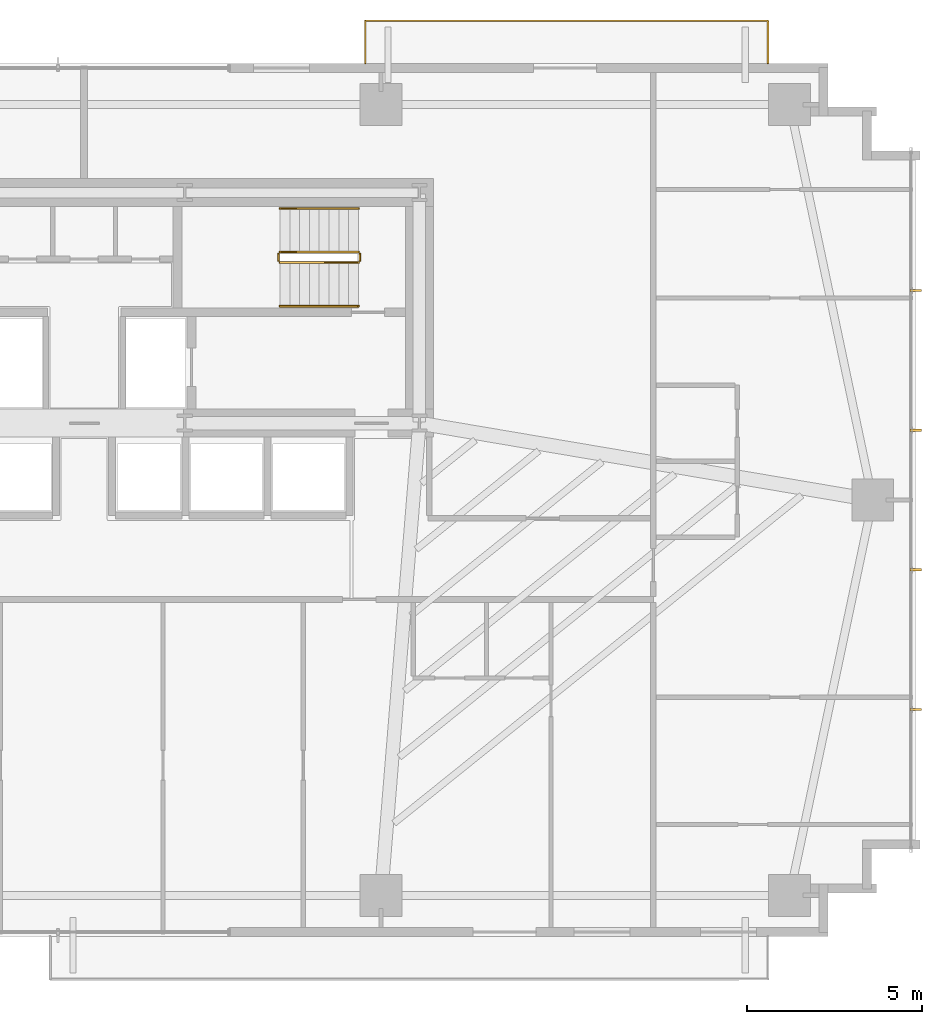
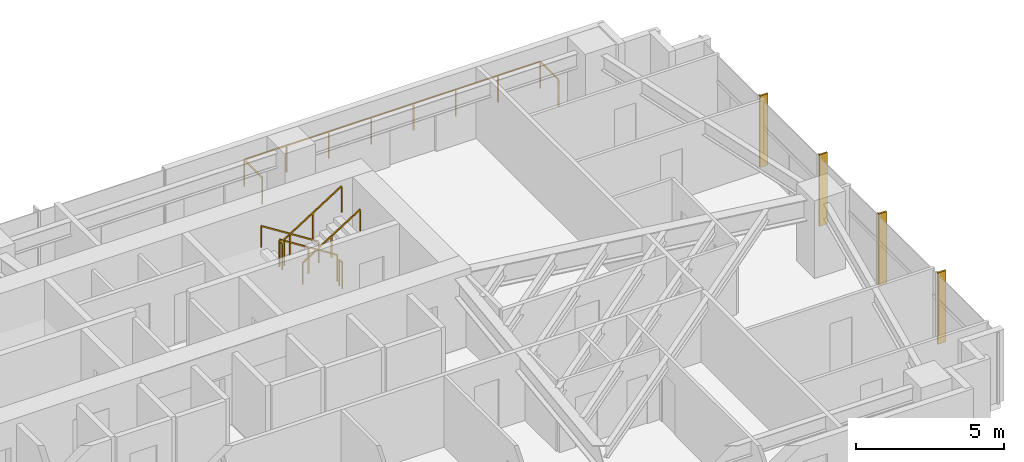
# One storey, part 25 of 25: 7 railings, 4 shading devices.
"""IFC4 building model written with IfcOpenShell, lengths in metres."""

from ifc_helpers import new_model, si_unit, direction, frame, origin, origin_2d, place, context, subcontext, project, spatial, rectangle, extrude, source, transform, mapped, material, type_object, type_shapes, element, save


model = new_model("IFC4")

# Units and contexts
model_context = context("Model", 3, precision=1e-05, world=origin(), true_north=direction((0.0, 1.0)))
body_context = subcontext(model_context, "Body", "Model", "MODEL_VIEW")
ifc_project = project(units=[si_unit("LENGTHUNIT", "METRE"), si_unit("AREAUNIT", "SQUARE_METRE"), si_unit("VOLUMEUNIT", "CUBIC_METRE"), si_unit("PLANEANGLEUNIT", "RADIAN"), si_unit("MASSUNIT", "GRAM", prefix="KILO")], contexts=[model_context])

# Site, building, storey
site_placement = place(None, origin())
site = spatial("IfcSite", under=ifc_project, at=site_placement, CompositionType="ELEMENT")
building_placement = place(site_placement, origin())
building = spatial("IfcBuilding", under=site, at=building_placement, Name="Astriad Promenade Condominiums", CompositionType="ELEMENT")
storey_placement = place(building_placement, frame((0.0, 0.0, 29.39990234375)))
storey = spatial("IfcBuildingStorey", under=building, at=storey_placement, Name="L07", CompositionType="ELEMENT", Elevation=29.39990234375)

# Shading devices
ifc_material_1 = material(Name="Anodised aluminium 6063-T6 Black Fin", Category="aluminium")
shading_device_type = type_object("IfcShadingDeviceType", Name="FIN-BLACK-320", PredefinedType="USERDEFINED", material=ifc_material_1)
shared_shape_1 = source(origin(), body_context, "Body", "SweptSolid", [
    extrude(rectangle(XDim=0.06494140625, YDim=0.320068359375, at=origin_2d()), origin(), (0.0, 0.0, 1.0), 2.93994140625),
])
type_shapes(shading_device_type, [shared_shape_1])
for number, where, z_axis, x_axis, name in (
    (1, (59.81005859375, 21.199951171875, 0.000244140625), (0.0, 0.0, 1.0), (0.0, -1.0, 0.0), "CW-L07-E-FIN-01"),
    (2, (59.81005859375, 17.199951171875, 0.000244140625), (0.0, 0.0, 1.0), (0.0, -1.0, 0.0), "CW-L07-E-FIN-02"),
    (3, (59.81005859375, 13.199951171875, 0.000244140625), (0.0, 0.0, 1.0), (0.0, -1.0, 0.0), "CW-L07-E-FIN-03"),
    (4, (59.81005859375, 9.199951171875, 0.000244140625), (0.0, 0.0, 1.0), (0.0, -1.0, 0.0), "CW-L07-E-FIN-04"),
):
    element("IfcShadingDevice", number, at=place(storey_placement, frame(where, z_axis=z_axis, x_axis=x_axis)), inside=storey, type_object=shading_device_type, Name=name, ObjectType="FIN", PredefinedType="USERDEFINED", context=body_context, shape_type="MappedRepresentation", body=[
        mapped(shared_shape_1, transform((0.0, 0.0, 0.0), scale=1.0)),
    ])

# Railings
ifc_material_2 = material(Name="Laminated Glass and Stainless Steel Balustrade", Category="steel")
railing_type_1 = type_object("IfcRailingType", Name="GRD-BALC-1120", PredefinedType="BALUSTRADE", material=ifc_material_2)
shared_shape_2 = source(origin(), body_context, "Body", "SweptSolid", [
    extrude(rectangle(XDim=0.048095703125, YDim=0.048095703125, at=origin_2d()), frame((0.0, 0.0, 1.09619140625), z_axis=(0.0, 1.0, 0.0), x_axis=(-1.0, 0.0, 0.0)), (0.0, 0.0, 1.0), 1.219970703125),
    extrude(rectangle(XDim=0.048095703125, YDim=0.048095703125, at=origin_2d()), frame((0.0, 1.219970703125, 1.09619140625), z_axis=(-1.0, 0.0, 0.0), x_axis=(0.0, -1.0, 0.0)), (0.0, 0.0, 1.0), 11.52783203125),
    extrude(rectangle(XDim=0.048095703125, YDim=0.048095703125, at=origin_2d()), frame((-11.52783203125, 1.219970703125, 1.09619140625), z_axis=(0.0, -1.0, 0.0), x_axis=(1.0, 0.0, 0.0)), (0.0, 0.0, 1.0), 1.219970703125),
    extrude(rectangle(XDim=0.0419921875, YDim=0.0419921875, at=origin_2d()), origin(), (0.0, 0.0, 1.0), 1.072021484375),
    extrude(rectangle(XDim=0.0419921875, YDim=0.0419921875, at=origin_2d()), frame((0.0, 1.219970703125, 0.0)), (0.0, 0.0, 1.0), 1.072021484375),
    extrude(rectangle(XDim=0.0419921875, YDim=0.0419921875, at=origin_2d()), frame((-1.646728515625, 1.219970703125, 0.0)), (0.0, 0.0, 1.0), 1.072021484375),
    extrude(rectangle(XDim=0.0419921875, YDim=0.0419921875, at=origin_2d()), frame((-3.293701171875, 1.219970703125, 0.0)), (0.0, 0.0, 1.0), 1.072021484375),
    extrude(rectangle(XDim=0.0419921875, YDim=0.0419921875, at=origin_2d()), frame((-4.9404296875, 1.219970703125, 0.0)), (0.0, 0.0, 1.0), 1.072021484375),
    extrude(rectangle(XDim=0.0419921875, YDim=0.0419921875, at=origin_2d()), frame((-6.58740234375, 1.219970703125, 0.0)), (0.0, 0.0, 1.0), 1.072021484375),
    extrude(rectangle(XDim=0.0419921875, YDim=0.0419921875, at=origin_2d()), frame((-8.234130859375, 1.219970703125, 0.0)), (0.0, 0.0, 1.0), 1.072021484375),
    extrude(rectangle(XDim=0.0419921875, YDim=0.0419921875, at=origin_2d()), frame((-9.881103515625, 1.219970703125, 0.0)), (0.0, 0.0, 1.0), 1.072021484375),
    extrude(rectangle(XDim=0.0419921875, YDim=0.0419921875, at=origin_2d()), frame((-11.52783203125, 1.219970703125, 0.0)), (0.0, 0.0, 1.0), 1.072021484375),
    extrude(rectangle(XDim=0.0419921875, YDim=0.0419921875, at=origin_2d()), frame((-11.52783203125, 0.0, 0.0)), (0.0, 0.0, 1.0), 1.072021484375),
])
type_shapes(railing_type_1, [shared_shape_2])
railing_1_placement = place(storey_placement, frame((55.577880859375, 27.699951171875, 0.0)))
element("IfcRailing", 5, at=railing_1_placement, inside=storey, type_object=railing_type_1, Name="GRD-BALC-L07-NE", PredefinedType="BALUSTRADE", context=body_context, shape_type="MappedRepresentation", body=[
    mapped(shared_shape_2, transform((0.0, 0.0, 0.0), scale=1.0)),
])
ifc_material_3 = material(Name="Painted Galvanised Steel Guardrail", Category="steel")
railing_type_2 = type_object("IfcRailingType", Name="GRD-STAIR-1100", PredefinedType="GUARDRAIL", material=ifc_material_3)
shared_shape_3 = source(origin(), body_context, "Body", "SweptSolid", [
    extrude(rectangle(XDim=0.048095703125, YDim=0.048095703125, at=origin_2d()), frame((0.0, 0.0, 1.076171875), z_axis=(0.84418770128, 0.0, 0.536047689118), x_axis=(0.0, 1.0, 0.0)), (0.0, 0.0, 1.0), 2.6533203125),
    extrude(rectangle(XDim=0.0419921875, YDim=0.0419921875, at=origin_2d()), origin(), (0.0, 0.0, 1.0), 1.052001953125),
    extrude(rectangle(XDim=0.0419921875, YDim=0.0419921875, at=origin_2d()), frame((1.1201171875, 0.0, 0.711181640625)), (0.0, 0.0, 1.0), 1.052001953125),
    extrude(rectangle(XDim=0.0419921875, YDim=0.0419921875, at=origin_2d()), frame((2.239990234375, 0.0, 1.42236328125)), (0.0, 0.0, 1.0), 1.052001953125),
])
railing_2_placement = place(storey_placement, frame((41.610107421875, 22.0, 1.77783203125)))
element("IfcRailing", 6, at=railing_2_placement, inside=storey, type_object=railing_type_2, Name="L07 ST-2 stair guard 3", PredefinedType="GUARDRAIL", context=body_context, shape_type="MappedRepresentation", body=[
    mapped(shared_shape_3, transform((0.0, 0.0, 0.0), scale=1.0)),
])
shared_shape_4 = source(origin(), body_context, "Body", "SweptSolid", [
    extrude(rectangle(XDim=0.048095703125, YDim=0.048095703125, at=origin_2d()), frame((0.0, 0.0, 1.076171875), z_axis=(-0.8442293374, 0.0, 0.53598211339), x_axis=(0.0, -1.0, 0.0)), (0.0, 0.0, 1.0), 2.6533203125),
    extrude(rectangle(XDim=0.0419921875, YDim=0.0419921875, at=origin_2d()), origin(), (0.0, 0.0, 1.0), 1.052001953125),
    extrude(rectangle(XDim=0.0419921875, YDim=0.0419921875, at=origin_2d()), frame((-1.1201171875, 0.0, 0.7109375)), (0.0, 0.0, 1.0), 1.052001953125),
    extrude(rectangle(XDim=0.0419921875, YDim=0.0419921875, at=origin_2d()), frame((-2.239990234375, 0.0, 1.422119140625)), (0.0, 0.0, 1.0), 1.052001953125),
])
railing_3_placement = place(storey_placement, frame((43.85009765625, 22.300048828125, 0.177978515625)))
element("IfcRailing", 7, at=railing_3_placement, inside=storey, type_object=railing_type_2, Name="L07 ST-2 stair guard 1", PredefinedType="GUARDRAIL", context=body_context, shape_type="MappedRepresentation", body=[
    mapped(shared_shape_4, transform((0.0, 0.0, 0.0), scale=1.0)),
])
ifc_material_4 = material(Name="Brushed Stainless Steel Handrail", Category="steel")
railing_type_3 = type_object("IfcRailingType", Name="HRL-STAIR-920", PredefinedType="HANDRAIL", material=ifc_material_4)
shared_shape_5 = source(origin(), body_context, "Body", "SweptSolid", [
    extrude(rectangle(XDim=0.048095703125, YDim=0.048095703125, at=origin_2d()), frame((0.0, 0.0, 0.8759765625), z_axis=(0.84418770128, 0.0, 0.536047689118), x_axis=(0.0, 1.0, 0.0)), (0.0, 0.0, 1.0), 2.6533203125),
    extrude(rectangle(XDim=0.0419921875, YDim=0.0419921875, at=origin_2d()), origin(), (0.0, 0.0, 1.0), 0.851806640625),
    extrude(rectangle(XDim=0.0419921875, YDim=0.0419921875, at=origin_2d()), frame((1.1201171875, 0.0, 0.711181640625)), (0.0, 0.0, 1.0), 0.851806640625),
    extrude(rectangle(XDim=0.0419921875, YDim=0.0419921875, at=origin_2d()), frame((2.239990234375, 0.0, 1.42236328125)), (0.0, 0.0, 1.0), 0.851806640625),
])
railing_4_placement = place(storey_placement, frame((41.610107421875, 20.75, 1.77783203125)))
element("IfcRailing", 8, at=railing_4_placement, inside=storey, type_object=railing_type_3, Name="L07 ST-2 stair handrail 2", PredefinedType="HANDRAIL", context=body_context, shape_type="MappedRepresentation", body=[
    mapped(shared_shape_5, transform((0.0, 0.0, 0.0), scale=1.0)),
])
shared_shape_6 = source(origin(), body_context, "Body", "SweptSolid", [
    extrude(rectangle(XDim=0.048095703125, YDim=0.048095703125, at=origin_2d()), frame((0.0, 0.0, 0.8759765625), z_axis=(-0.8442293374, 0.0, 0.53598211339), x_axis=(0.0, -1.0, 0.0)), (0.0, 0.0, 1.0), 2.6533203125),
    extrude(rectangle(XDim=0.0419921875, YDim=0.0419921875, at=origin_2d()), origin(), (0.0, 0.0, 1.0), 0.851806640625),
    extrude(rectangle(XDim=0.0419921875, YDim=0.0419921875, at=origin_2d()), frame((-1.1201171875, 0.0, 0.7109375)), (0.0, 0.0, 1.0), 0.851806640625),
    extrude(rectangle(XDim=0.0419921875, YDim=0.0419921875, at=origin_2d()), frame((-2.239990234375, 0.0, 1.422119140625)), (0.0, 0.0, 1.0), 0.851806640625),
])
type_shapes(railing_type_3, [shared_shape_5, shared_shape_6])
railing_5_placement = place(storey_placement, frame((43.85009765625, 23.550048828125, 0.177978515625)))
element("IfcRailing", 9, at=railing_5_placement, inside=storey, type_object=railing_type_3, Name="L07 ST-2 stair handrail 1", PredefinedType="HANDRAIL", context=body_context, shape_type="MappedRepresentation", body=[
    mapped(shared_shape_6, transform((0.0, 0.0, 0.0), scale=1.0)),
])
shared_shape_7 = source(origin(), body_context, "Body", "SweptSolid", [
    extrude(rectangle(XDim=0.048095703125, YDim=0.048095703125, at=origin_2d()), frame((0.0, 0.0, 1.076171875), z_axis=(0.0, -1.0, 0.0), x_axis=(1.0, 0.0, 0.0)), (0.0, 0.0, 1.0), 0.199951171875),
    extrude(rectangle(XDim=0.0419921875, YDim=0.0419921875, at=origin_2d()), origin(), (0.0, 0.0, 1.0), 1.052001953125),
    extrude(rectangle(XDim=0.0419921875, YDim=0.0419921875, at=origin_2d()), frame((0.0, -0.199951171875, 0.0)), (0.0, 0.0, 1.0), 1.052001953125),
])
type_shapes(railing_type_2, [shared_shape_3, shared_shape_4, shared_shape_7])
for number, where, name in (
    (10, (41.56005859375, 22.25, 1.60009765625), "L07 ST-2 stair guard 2"),
    (11, (43.89990234375, 22.25, 0.0), "L07 ST-2 stair guard 4"),
):
    element("IfcRailing", number, at=place(storey_placement, frame(where)), inside=storey, type_object=railing_type_2, Name=name, PredefinedType="GUARDRAIL", context=body_context, shape_type="MappedRepresentation", body=[
        mapped(shared_shape_7, transform((0.0, 0.0, 0.0), scale=1.0)),
    ])

save(model, "model.ifc")
